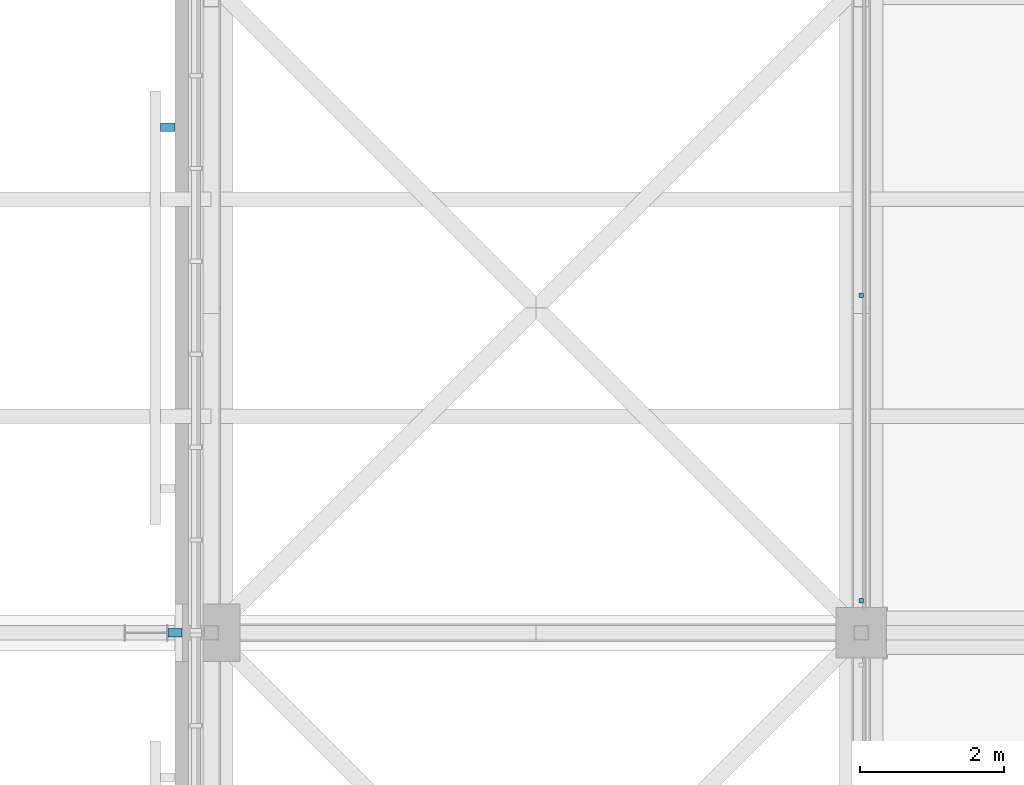
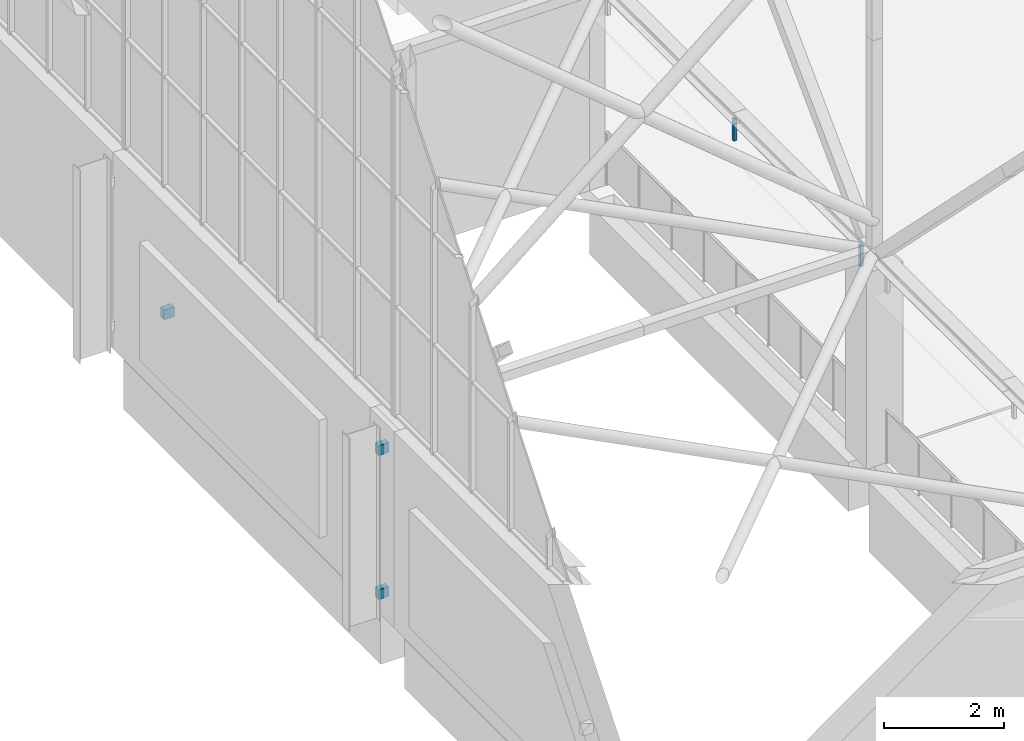
# One storey, part 195 of 646: 5 discrete accessories.
"""IFC4 building model written with IfcOpenShell, lengths in metres."""

from ifc_helpers import new_model, si_unit, direction, frame, origin, origin_2d, place, context, subcontext, project, spatial, rectangle, extrude, material, type_object, element, save


model = new_model("IFC4")

# Units and contexts
model_context = context("Model", 3, precision=1e-05, world=origin(), true_north=direction((0.0, 1.0)))
body_context = subcontext(model_context, "Body", "Model", "MODEL_VIEW")
ifc_project = project(units=[si_unit("LENGTHUNIT", "METRE"), si_unit("AREAUNIT", "SQUARE_METRE"), si_unit("VOLUMEUNIT", "CUBIC_METRE"), si_unit("PLANEANGLEUNIT", "RADIAN"), si_unit("MASSUNIT", "GRAM", prefix="KILO")], contexts=[model_context])

# Site, building, storey
site_placement = place(None, origin())
site = spatial("IfcSite", under=ifc_project, at=site_placement, CompositionType="ELEMENT")
building_placement = place(site_placement, origin())
building = spatial("IfcBuilding", under=site, at=building_placement, Name="Silverbay Arena", CompositionType="ELEMENT")
storey_placement = place(building_placement, frame((0.0, 0.0, 33.5)))
storey = spatial("IfcBuildingStorey", under=building, at=storey_placement, Name="L05", CompositionType="ELEMENT", Elevation=33.5)

# Discrete accessories
ifc_material_1 = material(Name="Steel S355", Category="steel")
discrete_accessory_type_1 = type_object("IfcDiscreteAccessoryType", Name="Ceiling hanger", PredefinedType="BRACKET", material=ifc_material_1)
for number, where, z_axis, x_axis, name in (
    (1, (63.0, 81.445068359375, 3.5498046875), (0.0, 0.0, 1.0), (1.0, 0.0, 0.0), "Ceiling hanger"),
    (2, (63.0, 85.675048828125, 3.5498046875), (0.0, 0.0, 1.0), (1.0, 0.0, 0.0), "Ceiling hanger"),
):
    element("IfcDiscreteAccessory", number, at=place(storey_placement, frame(where, z_axis=z_axis, x_axis=x_axis)), inside=storey, type_object=discrete_accessory_type_1, Name=name, PredefinedType="BRACKET", context=body_context, shape_type="SweptSolid", body=[
        extrude(rectangle(XDim=0.06005859375, YDim=0.06005859375, at=origin_2d()), origin(), (0.0, 0.0, 1.0), 0.449951171875),
    ])
ifc_material_2 = material(Name="Steel S355", Category="steel")
discrete_accessory_type_2 = type_object("IfcDiscreteAccessoryType", Name="Steel bracket plate", PredefinedType="BRACKET", material=ifc_material_2)
discrete_accessory_placement = place(storey_placement, frame((53.39990234375, 88.0, 1.89990234375), z_axis=(0.0, 0.0, 1.0), x_axis=(0.0, 1.0, 0.0)))
element("IfcDiscreteAccessory", 3, at=discrete_accessory_placement, inside=storey, type_object=discrete_accessory_type_2, Name="Louvre support bracket", PredefinedType="BRACKET", context=body_context, shape_type="SweptSolid", body=[
    extrude(rectangle(XDim=0.1201171875, YDim=0.199951171875, at=origin_2d()), origin(), (0.0, 0.0, 1.0), 0.199951171875),
])
for number, where, z_axis, x_axis, name in (
    (4, (53.5, 81.0, 0.39990234375), (0.0, 0.0, 1.0), (1.0, 0.0, 0.0), "Fin bracket"),
    (5, (53.5, 81.0, 3.33984375), (0.0, 0.0, 1.0), (1.0, 0.0, 0.0), "Fin bracket"),
):
    element("IfcDiscreteAccessory", number, at=place(storey_placement, frame(where, z_axis=z_axis, x_axis=x_axis)), inside=storey, type_object=discrete_accessory_type_2, Name=name, PredefinedType="BRACKET", context=body_context, shape_type="SweptSolid", body=[
        extrude(rectangle(XDim=0.199951171875, YDim=0.1201171875, at=origin_2d()), origin(), (0.0, 0.0, 1.0), 0.199951171875),
    ])

save(model, "model.ifc")
